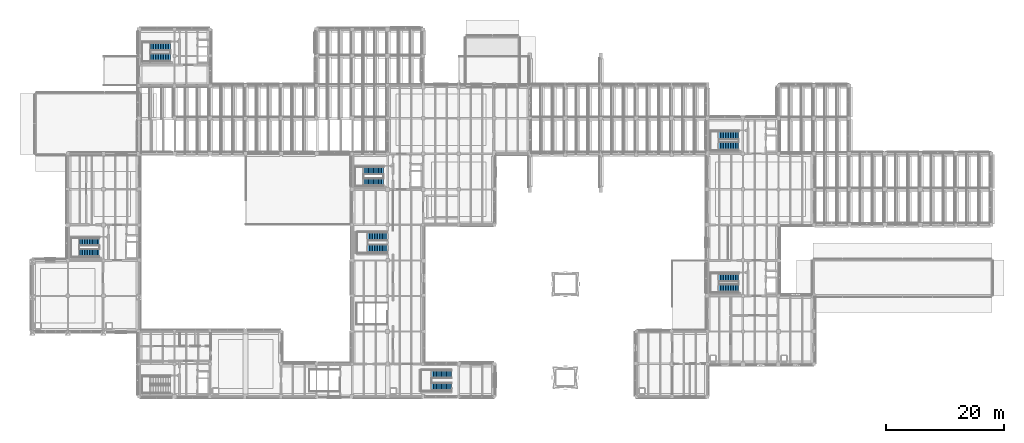
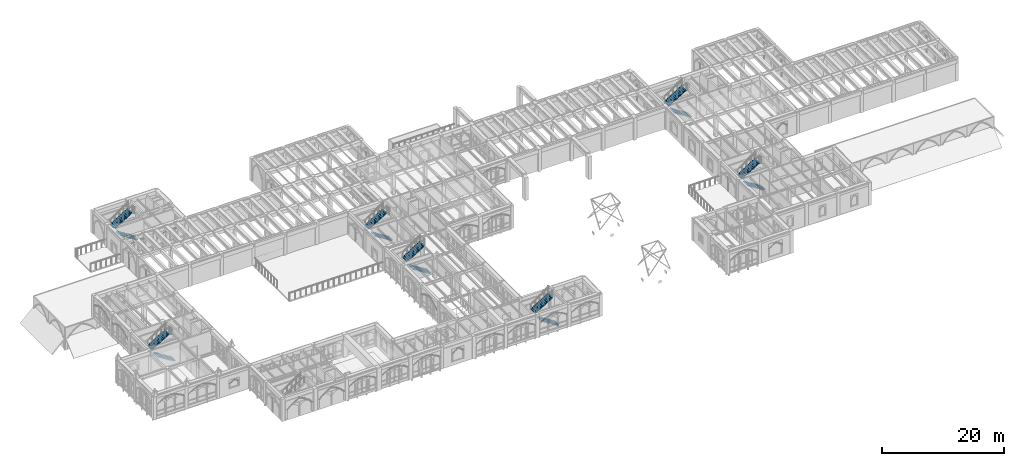
# One storey, part 85 of 127: 14 stair flights, 7 elements without a shape of their own.
"""IFC4 building model written with IfcOpenShell, lengths in metres."""

from ifc_helpers import new_model, si_unit, direction, frame, origin, place, context, subcontext, project, spatial, polyline, outline, extrude, material, type_object, element, aggregate, save


model = new_model("IFC4")

# Units and contexts
model_context = context("Model", 3, precision=1e-05, world=origin(), true_north=direction((0.0, 1.0)))
body_context = subcontext(model_context, "Body", "Model", "MODEL_VIEW")
ifc_project = project(units=[si_unit("LENGTHUNIT", "METRE"), si_unit("AREAUNIT", "SQUARE_METRE"), si_unit("VOLUMEUNIT", "CUBIC_METRE"), si_unit("PLANEANGLEUNIT", "RADIAN"), si_unit("MASSUNIT", "GRAM", prefix="KILO")], contexts=[model_context])

# Site, building, storey
site_placement = place(None, origin())
site = spatial("IfcSite", under=ifc_project, at=site_placement, CompositionType="ELEMENT")
building_placement = place(site_placement, origin())
building = spatial("IfcBuilding", under=site, at=building_placement, Name="Cumevento Cable Car Station", CompositionType="ELEMENT")
storey_placement = place(building_placement, frame((0.0, 0.0, 4.5)))
storey = spatial("IfcBuildingStorey", under=building, at=storey_placement, Name="L02", CompositionType="ELEMENT", Elevation=4.5)

# Stair, stair flights
ifc_material_1 = material(Name="Concrete C40/50", Category="concrete")
stair_type_1 = type_object("IfcStairType", Name="Half-Turn Stair ST-T02 1290", PredefinedType="HALF_TURN_STAIR", material=ifc_material_1)
stair_1_placement = place(storey_placement, origin())
stair_1 = element("IfcStair", 1, at=stair_1_placement, inside=storey, type_object=stair_type_1, Name="Enclosed Exit Stair ST-01 (L02 to L03)", PredefinedType="HALF_TURN_STAIR")
ifc_material_2 = material(Name="Concrete C40/50", Category="concrete")
stair_flight_type_1 = type_object("IfcStairFlightType", Name="Stair Flight STF-T02 1290", PredefinedType="STRAIGHT", material=ifc_material_2)
stair_flight_1_placement = place(storey_placement, frame((63.280029296875, 40.205078125, 0.0), z_axis=(0.0, 0.0, 1.0), x_axis=(-1.0, 0.0, 0.0)))
stair_flight_1 = element("IfcStairFlight", 2, at=stair_flight_1_placement, type_object=stair_flight_type_1, Name="ST-01-L02 Flight 1", NumberOfRisers=13, NumberOfTreads=12, PredefinedType="STRAIGHT", RiserHeight=0.173076923, TreadLength=0.28, context=body_context, shape_type="SweptSolid", body=[
    extrude(outline(polyline([(0.0, 0.0), (0.0, 0.173095703125), (0.280029296875, 0.173095703125), (0.280029296875, 0.34619140625), (0.56005859375, 0.34619140625), (0.56005859375, 0.519287109375), (0.840087890625, 0.519287109375), (0.840087890625, 0.6923828125), (1.1201171875, 0.6923828125), (1.1201171875, 0.865478515625), (1.39990234375, 0.865478515625), (1.39990234375, 1.03857421875), (1.679931640625, 1.03857421875), (1.679931640625, 1.21142578125), (1.9599609375, 1.21142578125), (1.9599609375, 1.384521484375), (2.239990234375, 1.384521484375), (2.239990234375, 1.5576171875), (2.52001953125, 1.5576171875), (2.52001953125, 1.730712890625), (2.800048828125, 1.730712890625), (2.800048828125, 1.90380859375), (3.080078125, 1.90380859375), (3.080078125, 2.076904296875), (3.360107421875, 2.076904296875), (3.360107421875, 2.25), (3.360107421875, 1.888916015625), (0.30419921875, 0.0), (0.0, 0.0)])), frame((0.0, 0.64501953125, 0.0), z_axis=(0.0, -1.0, 0.0), x_axis=(1.0, 0.0, 0.0)), (0.0, 0.0, 1.0), 1.2900390625),
])
stair_flight_2_placement = place(storey_placement, frame((59.919921875, 42.1650390625, 2.25), z_axis=(0.0, 0.0, 1.0), x_axis=(1.0, 0.0, 0.0)))
stair_flight_2 = element("IfcStairFlight", 3, at=stair_flight_2_placement, type_object=stair_flight_type_1, Name="ST-01-L02 Flight 2", NumberOfRisers=13, NumberOfTreads=12, PredefinedType="STRAIGHT", RiserHeight=0.173076923, TreadLength=0.28, context=body_context, shape_type="SweptSolid", body=[
    extrude(outline(polyline([(0.0, 0.0), (0.0, 0.173095703125), (0.280029296875, 0.173095703125), (0.280029296875, 0.34619140625), (0.56005859375, 0.34619140625), (0.56005859375, 0.519287109375), (0.840087890625, 0.519287109375), (0.840087890625, 0.6923828125), (1.1201171875, 0.6923828125), (1.1201171875, 0.865478515625), (1.39990234375, 0.865478515625), (1.39990234375, 1.03857421875), (1.679931640625, 1.03857421875), (1.679931640625, 1.21142578125), (1.9599609375, 1.21142578125), (1.9599609375, 1.384521484375), (2.239990234375, 1.384521484375), (2.239990234375, 1.5576171875), (2.52001953125, 1.5576171875), (2.52001953125, 1.730712890625), (2.800048828125, 1.730712890625), (2.800048828125, 1.90380859375), (3.080078125, 1.90380859375), (3.080078125, 2.076904296875), (3.360107421875, 2.076904296875), (3.360107421875, 2.25), (3.360107421875, 1.888916015625), (0.30419921875, 0.0), (0.0, 0.0)])), frame((0.0, 0.64501953125, 0.0), z_axis=(0.0, -1.0, 0.0), x_axis=(1.0, 0.0, 0.0)), (0.0, 0.0, 1.0), 1.2900390625),
])
aggregate(stair_1, [stair_flight_1, stair_flight_2])

ifc_material_3 = material(Name="Concrete C40/50", Category="concrete")
stair_type_2 = type_object("IfcStairType", Name="Half-Turn Stair ST-T04 1350", PredefinedType="HALF_TURN_STAIR", material=ifc_material_3)
stair_2_placement = place(storey_placement, origin())
stair_2 = element("IfcStair", 4, at=stair_2_placement, inside=storey, type_object=stair_type_2, Name="Enclosed Exit Stair ST-03 (L02 to L03)", PredefinedType="HALF_TURN_STAIR")
ifc_material_4 = material(Name="Concrete C40/50", Category="concrete")
stair_flight_type_2 = type_object("IfcStairFlightType", Name="Stair Flight STF-T04 1350", PredefinedType="STRAIGHT", material=ifc_material_4)
stair_flight_3_placement = place(storey_placement, frame((15.280029296875, 28.235107421875, 0.0), z_axis=(0.0, 0.0, 1.0), x_axis=(-1.0, 0.0, 0.0)))
stair_flight_3 = element("IfcStairFlight", 5, at=stair_flight_3_placement, type_object=stair_flight_type_2, Name="ST-03-L02 Flight 1", NumberOfRisers=13, NumberOfTreads=12, PredefinedType="STRAIGHT", RiserHeight=0.173076923, TreadLength=0.28, context=body_context, shape_type="SweptSolid", body=[
    extrude(outline(polyline([(0.0, 0.0), (0.0, 0.173095703125), (0.280029296875, 0.173095703125), (0.280029296875, 0.34619140625), (0.56005859375, 0.34619140625), (0.56005859375, 0.519287109375), (0.840087890625, 0.519287109375), (0.840087890625, 0.6923828125), (1.1201171875, 0.6923828125), (1.1201171875, 0.865478515625), (1.39990234375, 0.865478515625), (1.39990234375, 1.03857421875), (1.679931640625, 1.03857421875), (1.679931640625, 1.21142578125), (1.9599609375, 1.21142578125), (1.9599609375, 1.384521484375), (2.239990234375, 1.384521484375), (2.239990234375, 1.5576171875), (2.52001953125, 1.5576171875), (2.52001953125, 1.730712890625), (2.800048828125, 1.730712890625), (2.800048828125, 1.90380859375), (3.080078125, 1.90380859375), (3.080078125, 2.076904296875), (3.360107421875, 2.076904296875), (3.360107421875, 2.25), (3.360107421875, 1.888916015625), (0.30419921875, 0.0), (0.0, 0.0)])), frame((0.0, 0.675048828125, 0.0), z_axis=(0.0, -1.0, 0.0), x_axis=(1.0, 0.0, 0.0)), (0.0, 0.0, 1.0), 1.35009765625),
])
stair_flight_4_placement = place(storey_placement, frame((11.919921875, 30.135009765625, 2.25), z_axis=(0.0, 0.0, 1.0), x_axis=(1.0, 0.0, 0.0)))
stair_flight_4 = element("IfcStairFlight", 6, at=stair_flight_4_placement, type_object=stair_flight_type_2, Name="ST-03-L02 Flight 2", NumberOfRisers=13, NumberOfTreads=12, PredefinedType="STRAIGHT", RiserHeight=0.173076923, TreadLength=0.28, context=body_context, shape_type="SweptSolid", body=[
    extrude(outline(polyline([(0.0, 0.0), (0.0, 0.173095703125), (0.280029296875, 0.173095703125), (0.280029296875, 0.34619140625), (0.56005859375, 0.34619140625), (0.56005859375, 0.519287109375), (0.840087890625, 0.519287109375), (0.840087890625, 0.6923828125), (1.1201171875, 0.6923828125), (1.1201171875, 0.865478515625), (1.39990234375, 0.865478515625), (1.39990234375, 1.03857421875), (1.679931640625, 1.03857421875), (1.679931640625, 1.21142578125), (1.9599609375, 1.21142578125), (1.9599609375, 1.384521484375), (2.239990234375, 1.384521484375), (2.239990234375, 1.5576171875), (2.52001953125, 1.5576171875), (2.52001953125, 1.730712890625), (2.800048828125, 1.730712890625), (2.800048828125, 1.90380859375), (3.080078125, 1.90380859375), (3.080078125, 2.076904296875), (3.360107421875, 2.076904296875), (3.360107421875, 2.25), (3.360107421875, 1.888916015625), (0.30419921875, 0.0), (0.0, 0.0)])), frame((0.0, 0.675048828125, 0.0), z_axis=(0.0, -1.0, 0.0), x_axis=(1.0, 0.0, 0.0)), (0.0, 0.0, 1.0), 1.35009765625),
])
aggregate(stair_2, [stair_flight_3, stair_flight_4])

ifc_material_5 = material(Name="Concrete C40/50", Category="concrete")
stair_type_3 = type_object("IfcStairType", Name="Half-Turn Stair ST-T05 1380", PredefinedType="HALF_TURN_STAIR", material=ifc_material_5)
stair_3_placement = place(storey_placement, origin())
stair_3 = element("IfcStair", 7, at=stair_3_placement, inside=storey, type_object=stair_type_3, Name="Enclosed Exit Stair ST-04 (L02 to L03)", PredefinedType="HALF_TURN_STAIR")
ifc_material_6 = material(Name="Concrete C40/50", Category="concrete")
stair_flight_type_3 = type_object("IfcStairFlightType", Name="Stair Flight STF-T05 1380", PredefinedType="STRAIGHT", material=ifc_material_6)
stair_flight_5_placement = place(storey_placement, frame((27.280029296875, 61.25, 0.0), z_axis=(0.0, 0.0, 1.0), x_axis=(-1.0, 0.0, 0.0)))
stair_flight_5 = element("IfcStairFlight", 8, at=stair_flight_5_placement, type_object=stair_flight_type_3, Name="ST-04-L02 Flight 1", NumberOfRisers=13, NumberOfTreads=12, PredefinedType="STRAIGHT", RiserHeight=0.173076923, TreadLength=0.28, context=body_context, shape_type="SweptSolid", body=[
    extrude(outline(polyline([(0.0, 0.0), (0.0, 0.173095703125), (0.280029296875, 0.173095703125), (0.280029296875, 0.34619140625), (0.56005859375, 0.34619140625), (0.56005859375, 0.519287109375), (0.840087890625, 0.519287109375), (0.840087890625, 0.6923828125), (1.1201171875, 0.6923828125), (1.1201171875, 0.865478515625), (1.39990234375, 0.865478515625), (1.39990234375, 1.03857421875), (1.679931640625, 1.03857421875), (1.679931640625, 1.21142578125), (1.9599609375, 1.21142578125), (1.9599609375, 1.384521484375), (2.239990234375, 1.384521484375), (2.239990234375, 1.5576171875), (2.52001953125, 1.5576171875), (2.52001953125, 1.730712890625), (2.800048828125, 1.730712890625), (2.800048828125, 1.90380859375), (3.080078125, 1.90380859375), (3.080078125, 2.076904296875), (3.360107421875, 2.076904296875), (3.360107421875, 2.25), (3.360107421875, 1.888916015625), (0.30419921875, 0.0), (0.0, 0.0)])), frame((0.0, 0.68994140625, 0.0), z_axis=(0.0, -1.0, 0.0), x_axis=(1.0, 0.0, 0.0)), (0.0, 0.0, 1.0), 1.3798828125),
])
stair_flight_6_placement = place(storey_placement, frame((23.919921875, 63.1201171875, 2.25), z_axis=(0.0, 0.0, 1.0), x_axis=(1.0, 0.0, 0.0)))
stair_flight_6 = element("IfcStairFlight", 9, at=stair_flight_6_placement, type_object=stair_flight_type_3, Name="ST-04-L02 Flight 2", NumberOfRisers=13, NumberOfTreads=12, PredefinedType="STRAIGHT", RiserHeight=0.173076923, TreadLength=0.28, context=body_context, shape_type="SweptSolid", body=[
    extrude(outline(polyline([(0.0, 0.0), (0.0, 0.173095703125), (0.280029296875, 0.173095703125), (0.280029296875, 0.34619140625), (0.56005859375, 0.34619140625), (0.56005859375, 0.519287109375), (0.840087890625, 0.519287109375), (0.840087890625, 0.6923828125), (1.1201171875, 0.6923828125), (1.1201171875, 0.865478515625), (1.39990234375, 0.865478515625), (1.39990234375, 1.03857421875), (1.679931640625, 1.03857421875), (1.679931640625, 1.21142578125), (1.9599609375, 1.21142578125), (1.9599609375, 1.384521484375), (2.239990234375, 1.384521484375), (2.239990234375, 1.5576171875), (2.52001953125, 1.5576171875), (2.52001953125, 1.730712890625), (2.800048828125, 1.730712890625), (2.800048828125, 1.90380859375), (3.080078125, 1.90380859375), (3.080078125, 2.076904296875), (3.360107421875, 2.076904296875), (3.360107421875, 2.25), (3.360107421875, 1.888916015625), (0.30419921875, 0.0), (0.0, 0.0)])), frame((0.0, 0.68994140625, 0.0), z_axis=(0.0, -1.0, 0.0), x_axis=(1.0, 0.0, 0.0)), (0.0, 0.0, 1.0), 1.3798828125),
])
aggregate(stair_3, [stair_flight_5, stair_flight_6])

stair_4_placement = place(storey_placement, origin())
stair_4 = element("IfcStair", 10, at=stair_4_placement, inside=storey, type_object=stair_type_3, Name="Ticket to Cloister Concourse Stair L02-L03", PredefinedType="HALF_TURN_STAIR")
stair_flight_7_placement = place(storey_placement, frame((74.780029296875, 5.6298828125, 0.0), z_axis=(0.0, 0.0, 1.0), x_axis=(-1.0, 0.0, 0.0)))
stair_flight_7 = element("IfcStairFlight", 11, at=stair_flight_7_placement, type_object=stair_flight_type_3, Name="ST-08 Flight 1", NumberOfRisers=13, NumberOfTreads=12, PredefinedType="STRAIGHT", RiserHeight=0.173076923, TreadLength=0.28, context=body_context, shape_type="SweptSolid", body=[
    extrude(outline(polyline([(0.0, 0.0), (0.0, 0.173095703125), (0.280029296875, 0.173095703125), (0.280029296875, 0.34619140625), (0.56005859375, 0.34619140625), (0.56005859375, 0.519287109375), (0.840087890625, 0.519287109375), (0.840087890625, 0.6923828125), (1.1201171875, 0.6923828125), (1.1201171875, 0.865478515625), (1.39990234375, 0.865478515625), (1.39990234375, 1.03857421875), (1.679931640625, 1.03857421875), (1.679931640625, 1.21142578125), (1.9599609375, 1.21142578125), (1.9599609375, 1.384521484375), (2.239990234375, 1.384521484375), (2.239990234375, 1.5576171875), (2.52001953125, 1.5576171875), (2.52001953125, 1.730712890625), (2.800048828125, 1.730712890625), (2.800048828125, 1.90380859375), (3.080078125, 1.90380859375), (3.080078125, 2.076904296875), (3.360107421875, 2.076904296875), (3.360107421875, 2.25), (3.360107421875, 1.888916015625), (0.30419921875, 0.0), (0.0, 0.0)])), frame((0.0, 0.68994140625, 0.0), z_axis=(0.0, -1.0, 0.0), x_axis=(1.0, 0.0, 0.0)), (0.0, 0.0, 1.0), 1.3798828125),
])
stair_flight_8_placement = place(storey_placement, frame((71.419921875, 7.77001953125, 2.25), z_axis=(0.0, 0.0, 1.0), x_axis=(1.0, 0.0, 0.0)))
stair_flight_8 = element("IfcStairFlight", 12, at=stair_flight_8_placement, type_object=stair_flight_type_3, Name="ST-08 Flight 2", NumberOfRisers=13, NumberOfTreads=12, PredefinedType="STRAIGHT", RiserHeight=0.173076923, TreadLength=0.28, context=body_context, shape_type="SweptSolid", body=[
    extrude(outline(polyline([(0.0, 0.0), (0.0, 0.173095703125), (0.280029296875, 0.173095703125), (0.280029296875, 0.34619140625), (0.56005859375, 0.34619140625), (0.56005859375, 0.519287109375), (0.840087890625, 0.519287109375), (0.840087890625, 0.6923828125), (1.1201171875, 0.6923828125), (1.1201171875, 0.865478515625), (1.39990234375, 0.865478515625), (1.39990234375, 1.03857421875), (1.679931640625, 1.03857421875), (1.679931640625, 1.21142578125), (1.9599609375, 1.21142578125), (1.9599609375, 1.384521484375), (2.239990234375, 1.384521484375), (2.239990234375, 1.5576171875), (2.52001953125, 1.5576171875), (2.52001953125, 1.730712890625), (2.800048828125, 1.730712890625), (2.800048828125, 1.90380859375), (3.080078125, 1.90380859375), (3.080078125, 2.076904296875), (3.360107421875, 2.076904296875), (3.360107421875, 2.25), (3.360107421875, 1.888916015625), (0.30419921875, 0.0), (0.0, 0.0)])), frame((0.0, 0.68994140625, 0.0), z_axis=(0.0, -1.0, 0.0), x_axis=(1.0, 0.0, 0.0)), (0.0, 0.0, 1.0), 1.3798828125),
])
aggregate(stair_4, [stair_flight_7, stair_flight_8])

ifc_material_7 = material(Name="Concrete C40/50", Category="concrete")
stair_type_4 = type_object("IfcStairType", Name="Half-Turn Stair ST-T06 1410", PredefinedType="HALF_TURN_STAIR", material=ifc_material_7)
stair_5_placement = place(storey_placement, origin())
stair_5 = element("IfcStair", 13, at=stair_5_placement, inside=storey, type_object=stair_type_4, Name="Enclosed Exit Stair ST-05 (L02 to L03)", PredefinedType="HALF_TURN_STAIR")
ifc_material_8 = material(Name="Concrete C40/50", Category="concrete")
stair_flight_type_4 = type_object("IfcStairFlightType", Name="Stair Flight STF-T06 1410", PredefinedType="STRAIGHT", material=ifc_material_8)
stair_flight_9_placement = place(storey_placement, frame((123.280029296875, 22.264892578125, 0.0), z_axis=(0.0, 0.0, 1.0), x_axis=(-1.0, 0.0, 0.0)))
stair_flight_9 = element("IfcStairFlight", 14, at=stair_flight_9_placement, type_object=stair_flight_type_4, Name="ST-05-L02 Flight 1", NumberOfRisers=13, NumberOfTreads=12, PredefinedType="STRAIGHT", RiserHeight=0.173076923, TreadLength=0.28, context=body_context, shape_type="SweptSolid", body=[
    extrude(outline(polyline([(0.0, 0.0), (0.0, 0.173095703125), (0.280029296875, 0.173095703125), (0.280029296875, 0.34619140625), (0.56005859375, 0.34619140625), (0.56005859375, 0.519287109375), (0.840087890625, 0.519287109375), (0.840087890625, 0.6923828125), (1.1201171875, 0.6923828125), (1.1201171875, 0.865478515625), (1.39990234375, 0.865478515625), (1.39990234375, 1.03857421875), (1.679931640625, 1.03857421875), (1.679931640625, 1.21142578125), (1.9599609375, 1.21142578125), (1.9599609375, 1.384521484375), (2.239990234375, 1.384521484375), (2.239990234375, 1.5576171875), (2.52001953125, 1.5576171875), (2.52001953125, 1.730712890625), (2.800048828125, 1.730712890625), (2.800048828125, 1.90380859375), (3.080078125, 1.90380859375), (3.080078125, 2.076904296875), (3.360107421875, 2.076904296875), (3.360107421875, 2.25), (3.360107421875, 1.888916015625), (0.30419921875, 0.0), (0.0, 0.0)])), frame((0.0, 0.705078125, 0.0), z_axis=(0.0, -1.0, 0.0), x_axis=(1.0, 0.0, 0.0)), (0.0, 0.0, 1.0), 1.409912109375),
])
stair_flight_10_placement = place(storey_placement, frame((119.919921875, 24.10498046875, 2.25), z_axis=(0.0, 0.0, 1.0), x_axis=(1.0, 0.0, 0.0)))
stair_flight_10 = element("IfcStairFlight", 15, at=stair_flight_10_placement, type_object=stair_flight_type_4, Name="ST-05-L02 Flight 2", NumberOfRisers=13, NumberOfTreads=12, PredefinedType="STRAIGHT", RiserHeight=0.173076923, TreadLength=0.28, context=body_context, shape_type="SweptSolid", body=[
    extrude(outline(polyline([(0.0, 0.0), (0.0, 0.173095703125), (0.280029296875, 0.173095703125), (0.280029296875, 0.34619140625), (0.56005859375, 0.34619140625), (0.56005859375, 0.519287109375), (0.840087890625, 0.519287109375), (0.840087890625, 0.6923828125), (1.1201171875, 0.6923828125), (1.1201171875, 0.865478515625), (1.39990234375, 0.865478515625), (1.39990234375, 1.03857421875), (1.679931640625, 1.03857421875), (1.679931640625, 1.21142578125), (1.9599609375, 1.21142578125), (1.9599609375, 1.384521484375), (2.239990234375, 1.384521484375), (2.239990234375, 1.5576171875), (2.52001953125, 1.5576171875), (2.52001953125, 1.730712890625), (2.800048828125, 1.730712890625), (2.800048828125, 1.90380859375), (3.080078125, 1.90380859375), (3.080078125, 2.076904296875), (3.360107421875, 2.076904296875), (3.360107421875, 2.25), (3.360107421875, 1.888916015625), (0.30419921875, 0.0), (0.0, 0.0)])), frame((0.0, 0.705078125, 0.0), z_axis=(0.0, -1.0, 0.0), x_axis=(1.0, 0.0, 0.0)), (0.0, 0.0, 1.0), 1.409912109375),
])
aggregate(stair_5, [stair_flight_9, stair_flight_10])

ifc_material_9 = material(Name="Concrete C40/50", Category="concrete")
stair_type_5 = type_object("IfcStairType", Name="Half-Turn Stair ST-T07 1440", PredefinedType="HALF_TURN_STAIR", material=ifc_material_9)
stair_6_placement = place(storey_placement, origin())
stair_6 = element("IfcStair", 16, at=stair_6_placement, inside=storey, type_object=stair_type_5, Name="Enclosed Exit Stair ST-06 (L02 to L03)", PredefinedType="HALF_TURN_STAIR")
ifc_material_10 = material(Name="Concrete C40/50", Category="concrete")
stair_flight_type_5 = type_object("IfcStairFlightType", Name="Stair Flight STF-T07 1440", PredefinedType="STRAIGHT", material=ifc_material_10)
stair_flight_11_placement = place(storey_placement, frame((123.280029296875, 46.280029296875, 0.0), z_axis=(0.0, 0.0, 1.0), x_axis=(-1.0, 0.0, 0.0)))
stair_flight_11 = element("IfcStairFlight", 17, at=stair_flight_11_placement, type_object=stair_flight_type_5, Name="ST-06-L02 Flight 1", NumberOfRisers=13, NumberOfTreads=12, PredefinedType="STRAIGHT", RiserHeight=0.173076923, TreadLength=0.28, context=body_context, shape_type="SweptSolid", body=[
    extrude(outline(polyline([(0.0, 0.0), (0.0, 0.173095703125), (0.280029296875, 0.173095703125), (0.280029296875, 0.34619140625), (0.56005859375, 0.34619140625), (0.56005859375, 0.519287109375), (0.840087890625, 0.519287109375), (0.840087890625, 0.6923828125), (1.1201171875, 0.6923828125), (1.1201171875, 0.865478515625), (1.39990234375, 0.865478515625), (1.39990234375, 1.03857421875), (1.679931640625, 1.03857421875), (1.679931640625, 1.21142578125), (1.9599609375, 1.21142578125), (1.9599609375, 1.384521484375), (2.239990234375, 1.384521484375), (2.239990234375, 1.5576171875), (2.52001953125, 1.5576171875), (2.52001953125, 1.730712890625), (2.800048828125, 1.730712890625), (2.800048828125, 1.90380859375), (3.080078125, 1.90380859375), (3.080078125, 2.076904296875), (3.360107421875, 2.076904296875), (3.360107421875, 2.25), (3.360107421875, 1.888916015625), (0.30419921875, 0.0), (0.0, 0.0)])), frame((0.0, 0.719970703125, 0.0), z_axis=(0.0, -1.0, 0.0), x_axis=(1.0, 0.0, 0.0)), (0.0, 0.0, 1.0), 1.43994140625),
])
stair_flight_12_placement = place(storey_placement, frame((119.919921875, 48.090087890625, 2.25), z_axis=(0.0, 0.0, 1.0), x_axis=(1.0, 0.0, 0.0)))
stair_flight_12 = element("IfcStairFlight", 18, at=stair_flight_12_placement, type_object=stair_flight_type_5, Name="ST-06-L02 Flight 2", NumberOfRisers=13, NumberOfTreads=12, PredefinedType="STRAIGHT", RiserHeight=0.173076923, TreadLength=0.28, context=body_context, shape_type="SweptSolid", body=[
    extrude(outline(polyline([(0.0, 0.0), (0.0, 0.173095703125), (0.280029296875, 0.173095703125), (0.280029296875, 0.34619140625), (0.56005859375, 0.34619140625), (0.56005859375, 0.519287109375), (0.840087890625, 0.519287109375), (0.840087890625, 0.6923828125), (1.1201171875, 0.6923828125), (1.1201171875, 0.865478515625), (1.39990234375, 0.865478515625), (1.39990234375, 1.03857421875), (1.679931640625, 1.03857421875), (1.679931640625, 1.21142578125), (1.9599609375, 1.21142578125), (1.9599609375, 1.384521484375), (2.239990234375, 1.384521484375), (2.239990234375, 1.5576171875), (2.52001953125, 1.5576171875), (2.52001953125, 1.730712890625), (2.800048828125, 1.730712890625), (2.800048828125, 1.90380859375), (3.080078125, 1.90380859375), (3.080078125, 2.076904296875), (3.360107421875, 2.076904296875), (3.360107421875, 2.25), (3.360107421875, 1.888916015625), (0.30419921875, 0.0), (0.0, 0.0)])), frame((0.0, 0.719970703125, 0.0), z_axis=(0.0, -1.0, 0.0), x_axis=(1.0, 0.0, 0.0)), (0.0, 0.0, 1.0), 1.43994140625),
])
aggregate(stair_6, [stair_flight_11, stair_flight_12])

stair_7_placement = place(storey_placement, origin())
stair_7 = element("IfcStair", 19, at=stair_7_placement, inside=storey, type_object=stair_type_5, Name="Cloister to Pre-Boarding Stair L02-L03", PredefinedType="HALF_TURN_STAIR")
stair_flight_13_placement = place(storey_placement, frame((63.97998046875, 28.9599609375, 0.0), z_axis=(0.0, 0.0, 1.0), x_axis=(-1.0, 0.0, 0.0)))
stair_flight_13 = element("IfcStairFlight", 20, at=stair_flight_13_placement, type_object=stair_flight_type_5, Name="ST-10 Flight 1", NumberOfRisers=13, NumberOfTreads=12, PredefinedType="STRAIGHT", RiserHeight=0.173076923, TreadLength=0.28, context=body_context, shape_type="SweptSolid", body=[
    extrude(outline(polyline([(0.0, 0.0), (0.0, 0.173095703125), (0.280029296875, 0.173095703125), (0.280029296875, 0.34619140625), (0.56005859375, 0.34619140625), (0.56005859375, 0.519287109375), (0.840087890625, 0.519287109375), (0.840087890625, 0.6923828125), (1.1201171875, 0.6923828125), (1.1201171875, 0.865478515625), (1.39990234375, 0.865478515625), (1.39990234375, 1.03857421875), (1.679931640625, 1.03857421875), (1.679931640625, 1.21142578125), (1.9599609375, 1.21142578125), (1.9599609375, 1.384521484375), (2.239990234375, 1.384521484375), (2.239990234375, 1.5576171875), (2.52001953125, 1.5576171875), (2.52001953125, 1.730712890625), (2.800048828125, 1.730712890625), (2.800048828125, 1.90380859375), (3.080078125, 1.90380859375), (3.080078125, 2.076904296875), (3.360107421875, 2.076904296875), (3.360107421875, 2.25), (3.360107421875, 1.888916015625), (0.30419921875, 0.0), (0.0, 0.0)])), frame((0.0, 0.719970703125, 0.0), z_axis=(0.0, -1.0, 0.0), x_axis=(1.0, 0.0, 0.0)), (0.0, 0.0, 1.0), 1.43994140625),
])
stair_flight_14_placement = place(storey_placement, frame((60.6201171875, 31.0400390625, 2.25), z_axis=(0.0, 0.0, 1.0), x_axis=(1.0, 0.0, 0.0)))
stair_flight_14 = element("IfcStairFlight", 21, at=stair_flight_14_placement, type_object=stair_flight_type_5, Name="ST-10 Flight 2", NumberOfRisers=13, NumberOfTreads=12, PredefinedType="STRAIGHT", RiserHeight=0.173076923, TreadLength=0.28, context=body_context, shape_type="SweptSolid", body=[
    extrude(outline(polyline([(0.0, 0.0), (0.0, 0.173095703125), (0.280029296875, 0.173095703125), (0.280029296875, 0.34619140625), (0.56005859375, 0.34619140625), (0.56005859375, 0.519287109375), (0.840087890625, 0.519287109375), (0.840087890625, 0.6923828125), (1.1201171875, 0.6923828125), (1.1201171875, 0.865478515625), (1.39990234375, 0.865478515625), (1.39990234375, 1.03857421875), (1.679931640625, 1.03857421875), (1.679931640625, 1.21142578125), (1.9599609375, 1.21142578125), (1.9599609375, 1.384521484375), (2.239990234375, 1.384521484375), (2.239990234375, 1.5576171875), (2.52001953125, 1.5576171875), (2.52001953125, 1.730712890625), (2.800048828125, 1.730712890625), (2.800048828125, 1.90380859375), (3.080078125, 1.90380859375), (3.080078125, 2.076904296875), (3.360107421875, 2.076904296875), (3.360107421875, 2.25), (3.360107421875, 1.888916015625), (0.30419921875, 0.0), (0.0, 0.0)])), frame((0.0, 0.719970703125, 0.0), z_axis=(0.0, -1.0, 0.0), x_axis=(1.0, 0.0, 0.0)), (0.0, 0.0, 1.0), 1.43994140625),
])
aggregate(stair_7, [stair_flight_13, stair_flight_14])

save(model, "model.ifc")
